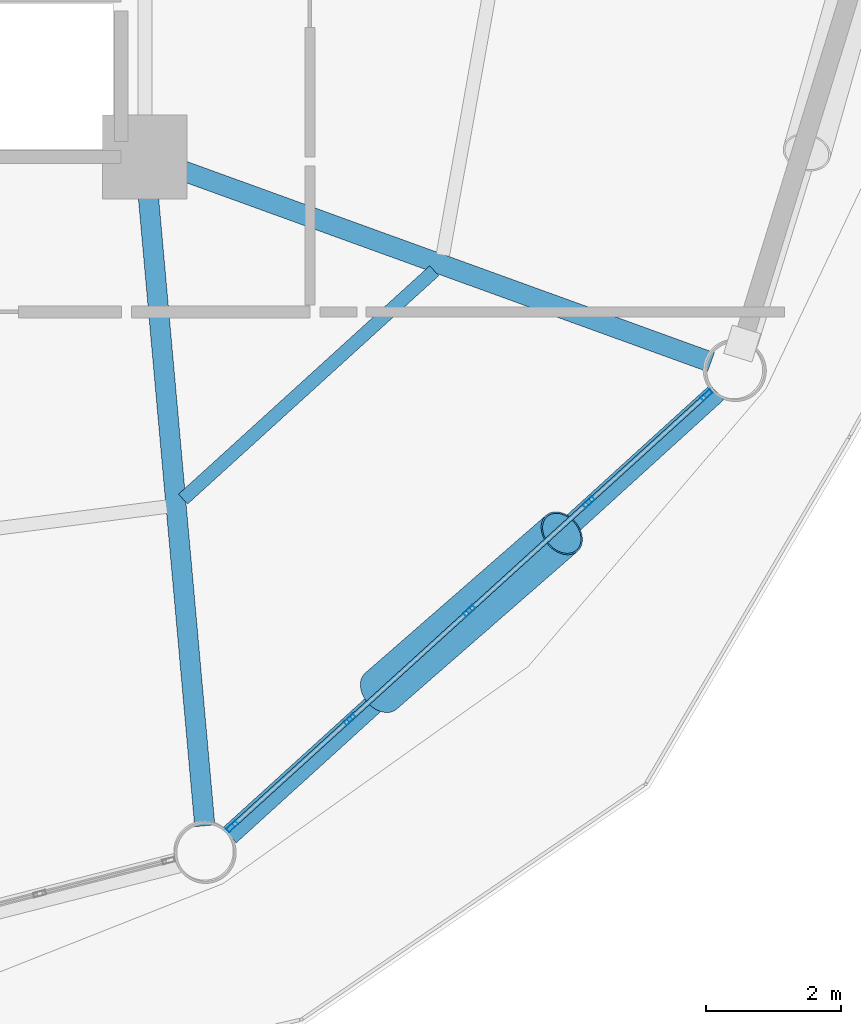
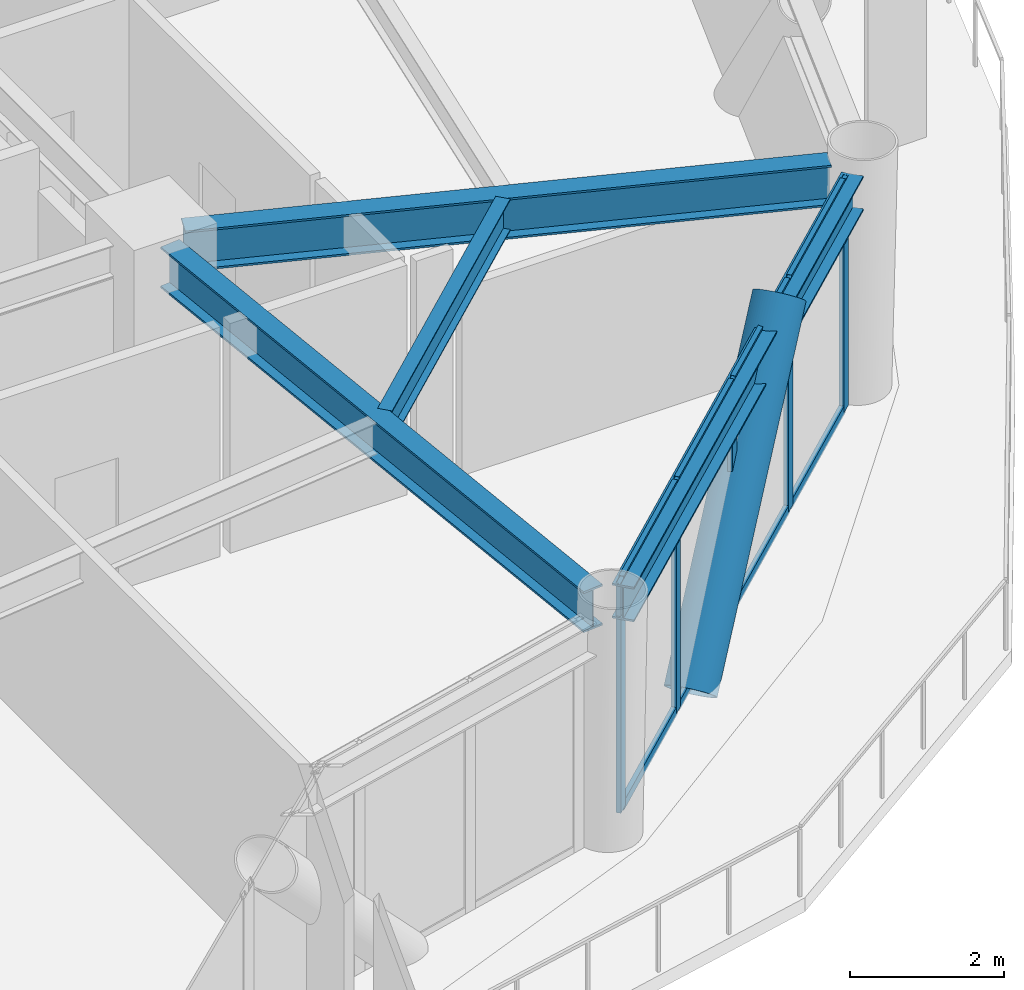
# One storey, part 11 of 22: 14 members, 4 beams, 1 element without a shape of its own.
"""IFC4 building model written with IfcOpenShell, lengths in metres."""

from ifc_helpers import new_model, si_unit, direction, frame, origin, origin_2d, place, context, subcontext, project, spatial, hollow_rectangle, hollow_circle, i_section, extrude, material, layer, layer_set, material_profile, profile_set, type_object, element, aggregate, save


model = new_model("IFC4")

# Units and contexts
model_context = context("Model", 3, precision=1e-05, world=origin(), true_north=direction((0.0, 1.0)))
body_context = subcontext(model_context, "Body", "Model", "MODEL_VIEW")
ifc_project = project(units=[si_unit("LENGTHUNIT", "METRE"), si_unit("AREAUNIT", "SQUARE_METRE"), si_unit("VOLUMEUNIT", "CUBIC_METRE"), si_unit("PLANEANGLEUNIT", "RADIAN"), si_unit("MASSUNIT", "GRAM", prefix="KILO")], contexts=[model_context])

# Site, building, storey
site_placement = place(None, origin())
site = spatial("IfcSite", under=ifc_project, at=site_placement, CompositionType="ELEMENT")
building_placement = place(site_placement, origin())
building = spatial("IfcBuilding", under=site, at=building_placement, Name="Varnakorn Sky Granary", CompositionType="ELEMENT")
storey_placement = place(building_placement, frame((0.0, 0.0, 66.60009765625)))
storey = spatial("IfcBuildingStorey", under=building, at=storey_placement, Name="L16", CompositionType="ELEMENT", Elevation=66.60009765625)

# Beams
ifc_material_1 = material(Name="Steel S355JR", Category="steel")
ifc_material_profile_1 = material_profile(ifc_material_1, i_section(OverallWidth=0.300048828125, OverallDepth=0.64990234375, WebThickness=0.01611328125, FlangeThickness=0.031005859375, at=origin_2d()), Name="HE 650 B")
ifc_profile_set_1 = profile_set([ifc_material_profile_1], Name="Steel S355JR")
beam_type_1 = type_object("IfcBeamType", Name="BM-RAD-Z1", PredefinedType="BEAM", material=ifc_profile_set_1)
beam_1_placement = place(storey_placement, frame((8.387451171875, -7.018310546875, 3.31494140625), z_axis=(0.089283884385, -0.996006218851, 0.0), x_axis=(0.996006218851, 0.089283884385, 0.0)))
element("IfcBeam", 1, at=beam_1_placement, inside=storey, type_object=beam_type_1, Name="Radial Floor Girder RG11 L16", PredefinedType="BEAM", context=body_context, shape_type="SweptSolid", body=[
    extrude(i_section(OverallWidth=0.300048828125, OverallDepth=0.64990234375, WebThickness=0.01611328125, FlangeThickness=0.031005859375, at=origin_2d()), origin(), (0.0, 0.0, 1.0), 9.548583984375),
])
beam_2_placement = place(storey_placement, frame((8.744873046875, -6.7431640625, 3.31494140625), z_axis=(0.940150983071, -0.340758167958, 0.0), x_axis=(0.340758167958, 0.940150983071, 0.0)))
element("IfcBeam", 2, at=beam_2_placement, inside=storey, type_object=beam_type_1, Name="Radial Floor Girder RG12 L16", PredefinedType="BEAM", context=body_context, shape_type="SweptSolid", body=[
    extrude(i_section(OverallWidth=0.300048828125, OverallDepth=0.64990234375, WebThickness=0.01611328125, FlangeThickness=0.031005859375, at=origin_2d()), origin(), (0.0, 0.0, 1.0), 8.520263671875),
])
ifc_material_profile_2 = material_profile(ifc_material_1, i_section(OverallWidth=0.199951171875, OverallDepth=0.5, WebThickness=0.01025390625, FlangeThickness=0.01611328125, at=origin_2d()), Name="IPE 500")
ifc_profile_set_2 = profile_set([ifc_material_profile_2], Name="Steel S355JR")
beam_type_2 = type_object("IfcBeamType", Name="BM-SEC-Z1", PredefinedType="BEAM", material=ifc_profile_set_2)
beam_3_placement = place(storey_placement, frame((8.917236328125, -11.67919921875, 3.389892578125), z_axis=(0.73992473014, 0.672689671191, 0.0), x_axis=(-0.672689671191, 0.73992473014, 0.0)))
element("IfcBeam", 3, at=beam_3_placement, inside=storey, type_object=beam_type_2, Name="Secondary Floor Chord Beam MSB11 L16", PredefinedType="BEAM", context=body_context, shape_type="SweptSolid", body=[
    extrude(i_section(OverallWidth=0.199951171875, OverallDepth=0.5, WebThickness=0.01025390625, FlangeThickness=0.01611328125, at=origin_2d()), origin(), (0.0, 0.0, 1.0), 5.0400390625),
])
ifc_material_profile_3 = material_profile(ifc_material_1, i_section(OverallWidth=0.300048828125, OverallDepth=0.550048828125, WebThickness=0.014892578125, FlangeThickness=0.029052734375, at=origin_2d()), Name="HE 550 B")
ifc_profile_set_3 = profile_set([ifc_material_profile_3], Name="Steel S355JR")
beam_type_3 = type_object("IfcBeamType", Name="BM-SPD-Z1", PredefinedType="SPANDREL", material=ifc_profile_set_3)
beam_4_placement = place(storey_placement, frame((9.606689453125, -16.671630859375, 3.364990234375), z_axis=(0.740018014029, 0.67258704932, 0.0), x_axis=(-0.67258704932, 0.740018014029, 0.0)))
element("IfcBeam", 4, at=beam_4_placement, inside=storey, type_object=beam_type_3, Name="Perimeter Spandrel Ring Beam RB11 L16", PredefinedType="SPANDREL", context=body_context, shape_type="SweptSolid", body=[
    extrude(i_section(OverallWidth=0.300048828125, OverallDepth=0.550048828125, WebThickness=0.014892578125, FlangeThickness=0.029052734375, at=origin_2d()), origin(), (0.0, 0.0, 1.0), 9.779296875),
])

# Curtain wall, members
ifc_material_2 = material(Name="Anodised Bronze Aluminium Alloy 6063-T6", Category="aluminium")
ifc_layer = layer(ifc_material_2, 0.18994140625, Name="Anodised Bronze Aluminium Alloy 6063-T6")
ifc_layer_set = layer_set([ifc_layer], Name="Anodised Bronze Aluminium Alloy 6063-T6")
curtain_wall_type = type_object("IfcCurtainWallType", Name="CW-FRM-1", PredefinedType="USERDEFINED", material=ifc_layer_set)
curtain_wall_placement = place(storey_placement, origin())
curtain_wall = element("IfcCurtainWall", 5, at=curtain_wall_placement, inside=storey, type_object=curtain_wall_type, Name="Unitised Curtain Wall CW3 CW-L16-B11", ObjectType="CURTAIN WALL", PredefinedType="USERDEFINED")
ifc_material_profile_4 = material_profile(ifc_material_2, hollow_rectangle(XDim=0.070068359375, YDim=0.18505859375, WallThickness=0.00390625, at=origin_2d()), Name="ALU MULL 70x185")
ifc_profile_set_4 = profile_set([ifc_material_profile_4], Name="Anodised Bronze Aluminium Alloy 6063-T6")
member_type_1 = type_object("IfcMemberType", Name="CW-FRM-1-MULL", PredefinedType="MULLION", material=ifc_profile_set_4)
member_1_placement = place(storey_placement, frame((16.688720703125, -10.134765625, 0.0), z_axis=(0.0, 0.0, 1.0), x_axis=(0.672775554803, -0.739846641446, 0.0)))
member_1 = element("IfcMember", 6, at=member_1_placement, type_object=member_type_1, Name="CW3 mullion 1", PredefinedType="MULLION", context=body_context, shape_type="SweptSolid", body=[
    extrude(hollow_rectangle(XDim=0.070068359375, YDim=0.18505859375, WallThickness=0.00390625, at=origin_2d()), origin(), (0.0, 0.0, 1.0), 3.639892578125),
])
member_2_placement = place(storey_placement, frame((14.940673828125, -11.724365234375, 0.0), z_axis=(0.0, 0.0, 1.0), x_axis=(0.672775554803, -0.739846641446, 0.0)))
member_2 = element("IfcMember", 7, at=member_2_placement, type_object=member_type_1, Name="CW3 mullion 2", PredefinedType="MULLION", context=body_context, shape_type="SweptSolid", body=[
    extrude(hollow_rectangle(XDim=0.070068359375, YDim=0.18505859375, WallThickness=0.00390625, at=origin_2d()), origin(), (0.0, 0.0, 1.0), 3.639892578125),
])
member_3_placement = place(storey_placement, frame((13.1669921875, -13.337158203125, 0.0), z_axis=(0.0, 0.0, 1.0), x_axis=(0.672775554803, -0.739846641446, 0.0)))
member_3 = element("IfcMember", 8, at=member_3_placement, type_object=member_type_1, Name="CW3 mullion 3", PredefinedType="MULLION", context=body_context, shape_type="SweptSolid", body=[
    extrude(hollow_rectangle(XDim=0.070068359375, YDim=0.18505859375, WallThickness=0.00390625, at=origin_2d()), origin(), (0.0, 0.0, 1.0), 3.639892578125),
])
member_4_placement = place(storey_placement, frame((11.393310546875, -14.9501953125, 0.0), z_axis=(0.0, 0.0, 1.0), x_axis=(0.672775554803, -0.739846641446, 0.0)))
member_4 = element("IfcMember", 9, at=member_4_placement, type_object=member_type_1, Name="CW3 mullion 4", PredefinedType="MULLION", context=body_context, shape_type="SweptSolid", body=[
    extrude(hollow_rectangle(XDim=0.070068359375, YDim=0.18505859375, WallThickness=0.00390625, at=origin_2d()), origin(), (0.0, 0.0, 1.0), 3.639892578125),
])
member_5_placement = place(storey_placement, frame((9.6455078125, -16.53955078125, 0.0), z_axis=(0.0, 0.0, 1.0), x_axis=(0.672775554803, -0.739846641446, 0.0)))
member_5 = element("IfcMember", 10, at=member_5_placement, type_object=member_type_1, Name="CW3 mullion 5", PredefinedType="MULLION", context=body_context, shape_type="SweptSolid", body=[
    extrude(hollow_rectangle(XDim=0.070068359375, YDim=0.18505859375, WallThickness=0.00390625, at=origin_2d()), origin(), (0.0, 0.0, 1.0), 3.639892578125),
])
ifc_material_profile_5 = material_profile(ifc_material_2, hollow_rectangle(XDim=0.070068359375, YDim=0.139892578125, WallThickness=0.00341796875, at=origin_2d()), Name="ALU TRAN 70x140")
ifc_profile_set_5 = profile_set([ifc_material_profile_5], Name="Anodised Bronze Aluminium Alloy 6063-T6")
member_type_2 = type_object("IfcMemberType", Name="CW-FRM-1-TRAN", PredefinedType="USERDEFINED", material=ifc_profile_set_5)
member_6_placement = place(storey_placement, frame((16.66259765625, -10.158447265625, 0.034912109375), z_axis=(-0.739858144539, -0.672762904714, 0.0), x_axis=(0.672762904714, -0.739858144539, 0.0)))
member_6 = element("IfcMember", 11, at=member_6_placement, type_object=member_type_2, Name="CW3 transom 1.1", ObjectType="TRANSOM", PredefinedType="USERDEFINED", context=body_context, shape_type="SweptSolid", body=[
    extrude(hollow_rectangle(XDim=0.070068359375, YDim=0.139892578125, WallThickness=0.00341796875, at=origin_2d()), origin(), (0.0, 0.0, 1.0), 2.29248046875),
])
member_7_placement = place(storey_placement, frame((16.66259765625, -10.158447265625, 3.60498046875), z_axis=(-0.739858144539, -0.672762904714, 0.0), x_axis=(0.672762904714, -0.739858144539, 0.0)))
member_7 = element("IfcMember", 12, at=member_7_placement, type_object=member_type_2, Name="CW3 transom 1.2", ObjectType="TRANSOM", PredefinedType="USERDEFINED", context=body_context, shape_type="SweptSolid", body=[
    extrude(hollow_rectangle(XDim=0.070068359375, YDim=0.139892578125, WallThickness=0.00341796875, at=origin_2d()), origin(), (0.0, 0.0, 1.0), 2.29248046875),
])
member_8_placement = place(storey_placement, frame((14.914794921875, -11.747802734375, 0.034912109375), z_axis=(-0.7398261494, -0.672798089076, 0.0), x_axis=(0.672798089076, -0.7398261494, 0.0)))
member_8 = element("IfcMember", 13, at=member_8_placement, type_object=member_type_2, Name="CW3 transom 2.1", ObjectType="TRANSOM", PredefinedType="USERDEFINED", context=body_context, shape_type="SweptSolid", body=[
    extrude(hollow_rectangle(XDim=0.070068359375, YDim=0.139892578125, WallThickness=0.00341796875, at=origin_2d()), origin(), (0.0, 0.0, 1.0), 2.327392578125),
])
member_9_placement = place(storey_placement, frame((14.914794921875, -11.747802734375, 3.60498046875), z_axis=(-0.7398261494, -0.672798089076, 0.0), x_axis=(0.672798089076, -0.7398261494, 0.0)))
member_9 = element("IfcMember", 14, at=member_9_placement, type_object=member_type_2, Name="CW3 transom 2.2", ObjectType="TRANSOM", PredefinedType="USERDEFINED", context=body_context, shape_type="SweptSolid", body=[
    extrude(hollow_rectangle(XDim=0.070068359375, YDim=0.139892578125, WallThickness=0.00341796875, at=origin_2d()), origin(), (0.0, 0.0, 1.0), 2.327392578125),
])
member_10_placement = place(storey_placement, frame((13.14111328125, -13.36083984375, 0.034912109375), z_axis=(-0.739878362844, -0.672740669349, 0.0), x_axis=(0.672740669349, -0.739878362844, 0.0)))
member_10 = element("IfcMember", 15, at=member_10_placement, type_object=member_type_2, Name="CW3 transom 3.1", ObjectType="TRANSOM", PredefinedType="USERDEFINED", context=body_context, shape_type="SweptSolid", body=[
    extrude(hollow_rectangle(XDim=0.070068359375, YDim=0.139892578125, WallThickness=0.00341796875, at=origin_2d()), origin(), (0.0, 0.0, 1.0), 2.327392578125),
])
member_11_placement = place(storey_placement, frame((13.14111328125, -13.36083984375, 3.60498046875), z_axis=(-0.739878362844, -0.672740669349, 0.0), x_axis=(0.672740669349, -0.739878362844, 0.0)))
member_11 = element("IfcMember", 16, at=member_11_placement, type_object=member_type_2, Name="CW3 transom 3.2", ObjectType="TRANSOM", PredefinedType="USERDEFINED", context=body_context, shape_type="SweptSolid", body=[
    extrude(hollow_rectangle(XDim=0.070068359375, YDim=0.139892578125, WallThickness=0.00341796875, at=origin_2d()), origin(), (0.0, 0.0, 1.0), 2.327392578125),
])
member_12_placement = place(storey_placement, frame((11.367431640625, -14.9736328125, 0.034912109375), z_axis=(-0.73980513557, -0.672821195701, 0.0), x_axis=(0.672821195701, -0.73980513557, 0.0)))
member_12 = element("IfcMember", 17, at=member_12_placement, type_object=member_type_2, Name="CW3 transom 4.1", ObjectType="TRANSOM", PredefinedType="USERDEFINED", context=body_context, shape_type="SweptSolid", body=[
    extrude(hollow_rectangle(XDim=0.070068359375, YDim=0.139892578125, WallThickness=0.00341796875, at=origin_2d()), origin(), (0.0, 0.0, 1.0), 2.29248046875),
])
member_13_placement = place(storey_placement, frame((11.367431640625, -14.9736328125, 3.60498046875), z_axis=(-0.73980513557, -0.672821195701, 0.0), x_axis=(0.672821195701, -0.73980513557, 0.0)))
member_13 = element("IfcMember", 18, at=member_13_placement, type_object=member_type_2, Name="CW3 transom 4.2", ObjectType="TRANSOM", PredefinedType="USERDEFINED", context=body_context, shape_type="SweptSolid", body=[
    extrude(hollow_rectangle(XDim=0.070068359375, YDim=0.139892578125, WallThickness=0.00341796875, at=origin_2d()), origin(), (0.0, 0.0, 1.0), 2.29248046875),
])
aggregate(curtain_wall, [member_1, member_2, member_3, member_4, member_5, member_6, member_7, member_8, member_9, member_10, member_11, member_12, member_13])

# Member
ifc_material_3 = material(Name="Steel S460M", Category="steel")
ifc_material_profile_6 = material_profile(ifc_material_3, hollow_circle(Radius=0.35546875, WallThickness=0.02490234375, at=origin_2d()), Name="CHS 711x25")
ifc_profile_set_6 = profile_set([ifc_material_profile_6], Name="Steel S460M")
member_type_3 = type_object("IfcMemberType", Name="MB-DIAG-T0", PredefinedType="BRACE", material=ifc_profile_set_6)
member_14_placement = place(storey_placement, frame((11.85693359375, -14.5283203125, -0.130126953125), z_axis=(0.506693054437, 0.442013739054, 0.740193220093), x_axis=(-0.657372893903, 0.753565443981, 0.0)))
element("IfcMember", 19, at=member_14_placement, inside=storey, type_object=member_type_3, Name="Perimeter CHS Diagrid Brace DG11 L16", PredefinedType="BRACE", context=body_context, shape_type="SweptSolid", body=[
    extrude(hollow_circle(Radius=0.35546875, WallThickness=0.02490234375, at=origin_2d()), origin(), (0.0, 0.0, 1.0), 5.2958984375),
])

save(model, "model.ifc")
